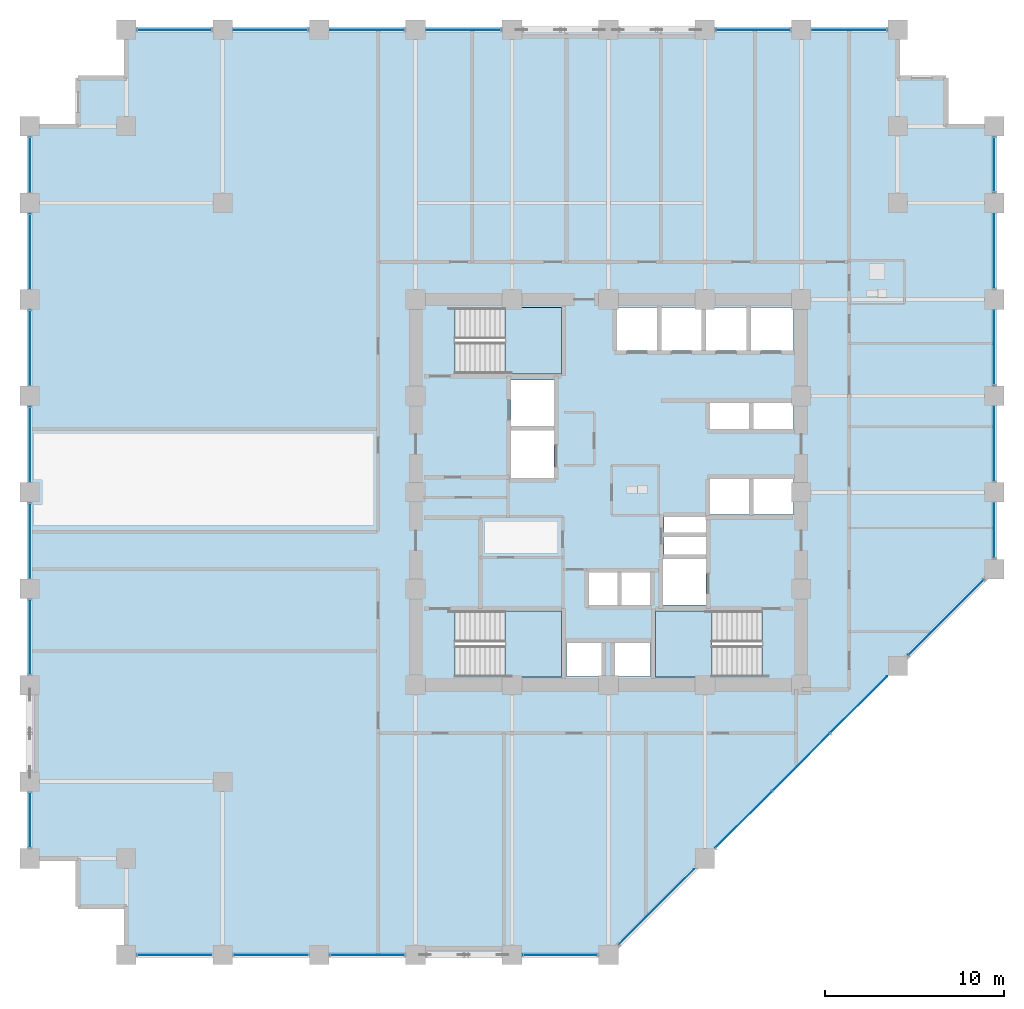
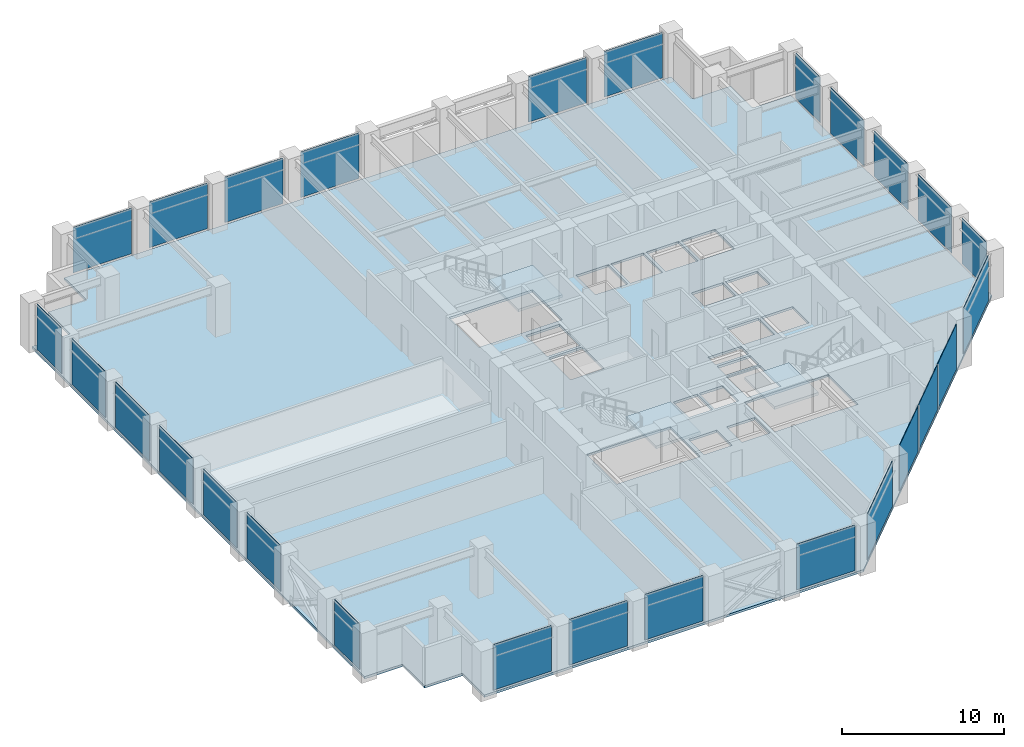
# One storey, part 17 of 25: 27 plates, 4 slabs, 11 elements without a shape of their own.
"""IFC4 building model written with IfcOpenShell, lengths in metres."""

from ifc_helpers import new_model, si_unit, direction, frame, frame_2d, origin, place, context, subcontext, project, spatial, polyline, rectangle, outline, extrude, material, layer, layer_set, type_object, element, aggregate, save


model = new_model("IFC4")

# Units and contexts
model_context = context("Model", 3, precision=1e-05, world=origin(), true_north=direction((0.0, 1.0)))
body_context = subcontext(model_context, "Body", "Model", "MODEL_VIEW")
ifc_project = project(units=[si_unit("LENGTHUNIT", "METRE"), si_unit("AREAUNIT", "SQUARE_METRE"), si_unit("VOLUMEUNIT", "CUBIC_METRE"), si_unit("PLANEANGLEUNIT", "RADIAN"), si_unit("MASSUNIT", "GRAM", prefix="KILO")], contexts=[model_context])

# Site, building, storey
site_placement = place(None, origin())
site = spatial("IfcSite", under=ifc_project, at=site_placement, CompositionType="ELEMENT")
building_placement = place(site_placement, origin())
building = spatial("IfcBuilding", under=site, at=building_placement, Name="Surkhivell Harbour Commons", CompositionType="ELEMENT")
storey_placement = place(building_placement, frame((0.0, 0.0, 120.75)))
storey = spatial("IfcBuildingStorey", under=building, at=storey_placement, Name="L31", CompositionType="ELEMENT", Elevation=120.75)

# Curtain wall, plates
ifc_material_1 = material(Name="Anodised pale-metal aluminium and insulated glazing", Category="aluminium")
ifc_layer_1 = layer(ifc_material_1, 0.205078125)
ifc_layer_set_1 = layer_set([ifc_layer_1], Name="Anodised pale-metal aluminium and insulated glazing")
curtain_wall_type = type_object("IfcCurtainWallType", Name="CW-SYS-Z2", PredefinedType="NOTDEFINED", material=ifc_layer_set_1)
curtain_wall_1_placement = place(storey_placement, origin())
curtain_wall_1 = element("IfcCurtainWall", 1, at=curtain_wall_1_placement, inside=storey, type_object=curtain_wall_type, Name="L31 Curtain Wall CW-L31-E00S1", PredefinedType="NOTDEFINED")
ifc_material_2 = material(Name="High-pressure typhoon laminated vision glass", Category="glass")
ifc_layer_2 = layer(ifc_material_2, 0.035888671875)
ifc_layer_set_2 = layer_set([ifc_layer_2], Name="High-pressure typhoon laminated vision glass")
plate_type = type_object("IfcPlateType", Name="CWP-GLZ-36", PredefinedType="CURTAIN_PANEL", material=ifc_layer_set_2)
plate_1_placement = place(storey_placement, frame((-26.373046875, -25.89990234375, 0.14990234375), z_axis=(0.0, 0.0, 1.0), x_axis=(1.0, 0.0, 0.0)))
plate_1 = element("IfcPlate", 2, at=plate_1_placement, type_object=plate_type, Name="CW-Z2 panel 1.1", PredefinedType="CURTAIN_PANEL", context=body_context, shape_type="SweptSolid", body=[
    extrude(rectangle(XDim=4.14599609375, YDim=0.035888671875, at=frame_2d((2.072998046875, 0.0))), origin(), (0.0, 0.0, 1.0), 3.420166015625),
])
plate_2_placement = place(storey_placement, frame((-20.972900390625, -25.89990234375, 0.14990234375), z_axis=(0.0, 0.0, 1.0), x_axis=(1.0, 0.0, 0.0)))
plate_2 = element("IfcPlate", 3, at=plate_2_placement, type_object=plate_type, Name="CW-Z2 panel 2.1", PredefinedType="CURTAIN_PANEL", context=body_context, shape_type="SweptSolid", body=[
    extrude(rectangle(XDim=4.14599609375, YDim=0.035888671875, at=frame_2d((2.072998046875, 0.0))), origin(), (0.0, 0.0, 1.0), 3.420166015625),
])
plate_3_placement = place(storey_placement, frame((-15.572998046875, -25.89990234375, 0.14990234375), z_axis=(0.0, 0.0, 1.0), x_axis=(1.0, 0.0, 0.0)))
plate_3 = element("IfcPlate", 4, at=plate_3_placement, type_object=plate_type, Name="CW-Z2 panel 3.1", PredefinedType="CURTAIN_PANEL", context=body_context, shape_type="SweptSolid", body=[
    extrude(rectangle(XDim=4.14599609375, YDim=0.035888671875, at=frame_2d((2.072998046875, 0.0))), origin(), (0.0, 0.0, 1.0), 3.420166015625),
])
aggregate(curtain_wall_1, [plate_1, plate_2, plate_3])

# Curtain wall, plate
curtain_wall_2_placement = place(storey_placement, origin())
curtain_wall_2 = element("IfcCurtainWall", 5, at=curtain_wall_2_placement, inside=storey, type_object=curtain_wall_type, Name="L31 Curtain Wall CW-L31-E00S2", PredefinedType="NOTDEFINED")
plate_4_placement = place(storey_placement, frame((-4.77294921875, -25.89990234375, 0.14990234375), z_axis=(0.0, 0.0, 1.0), x_axis=(1.0, 0.0, 0.0)))
plate_4 = element("IfcPlate", 6, at=plate_4_placement, type_object=plate_type, Name="CW-Z2 panel 1.1", PredefinedType="CURTAIN_PANEL", context=body_context, shape_type="SweptSolid", body=[
    extrude(rectangle(XDim=4.14599609375, YDim=0.035888671875, at=frame_2d((2.072998046875, 0.0))), origin(), (0.0, 0.0, 1.0), 3.420166015625),
])
aggregate(curtain_wall_2, [plate_4])

# Curtain wall, plates
curtain_wall_3_placement = place(storey_placement, origin())
curtain_wall_3 = element("IfcCurtainWall", 7, at=curtain_wall_3_placement, inside=storey, type_object=curtain_wall_type, Name="L31 Curtain Wall CW-L31-E01", PredefinedType="NOTDEFINED")
plate_5_placement = place(storey_placement, frame((0.604736328125, -25.295166015625, 0.14990234375), z_axis=(0.0, 0.0, 1.0), x_axis=(0.707106781187, 0.707106781187, 0.0)))
plate_5 = element("IfcPlate", 8, at=plate_5_placement, type_object=plate_type, Name="CW-Z2 panel 1.1", PredefinedType="CURTAIN_PANEL", context=body_context, shape_type="SweptSolid", body=[
    extrude(rectangle(XDim=5.92626953125, YDim=0.035888671875, at=frame_2d((2.963134765625, 0.0))), origin(), (0.0, 0.0, 1.0), 3.420166015625),
])
plate_6_placement = place(storey_placement, frame((6.004638671875, -19.895263671875, 0.14990234375), z_axis=(0.0, 0.0, 1.0), x_axis=(0.707134159244, 0.707079402069, 0.0)))
plate_6 = element("IfcPlate", 9, at=plate_6_placement, type_object=plate_type, Name="CW-Z2 panel 2.1", PredefinedType="CURTAIN_PANEL", context=body_context, shape_type="SweptSolid", body=[
    extrude(rectangle(XDim=4.45849609375, YDim=0.035888671875, at=frame_2d((2.229248046875, 0.0))), origin(), (0.0, 0.0, 1.0), 3.420166015625),
])
plate_7_placement = place(storey_placement, frame((9.21044921875, -16.689697265625, 0.14990234375), z_axis=(0.0, 0.0, 1.0), x_axis=(0.707106781187, 0.707106781187, 0.0)))
plate_7 = element("IfcPlate", 10, at=plate_7_placement, type_object=plate_type, Name="CW-Z2 panel 3.1", PredefinedType="CURTAIN_PANEL", context=body_context, shape_type="SweptSolid", body=[
    extrude(rectangle(XDim=4.49609375, YDim=0.035888671875, at=frame_2d((2.248046875, 0.0))), origin(), (0.0, 0.0, 1.0), 3.420166015625),
])
plate_8_placement = place(storey_placement, frame((12.442626953125, -13.457275390625, 0.14990234375), z_axis=(0.0, 0.0, 1.0), x_axis=(0.707106781187, 0.707106781187, 0.0)))
plate_8 = element("IfcPlate", 11, at=plate_8_placement, type_object=plate_type, Name="CW-Z2 panel 4.1", PredefinedType="CURTAIN_PANEL", context=body_context, shape_type="SweptSolid", body=[
    extrude(rectangle(XDim=4.45849609375, YDim=0.035888671875, at=frame_2d((2.229248046875, 0.0))), origin(), (0.0, 0.0, 1.0), 3.420166015625),
])
plate_9_placement = place(storey_placement, frame((16.8046875, -9.09521484375, 0.14990234375), z_axis=(0.0, 0.0, 1.0), x_axis=(0.707127378829, 0.707086182944, 0.0)))
plate_9 = element("IfcPlate", 12, at=plate_9_placement, type_object=plate_type, Name="CW-Z2 panel 5.1", PredefinedType="CURTAIN_PANEL", context=body_context, shape_type="SweptSolid", body=[
    extrude(rectangle(XDim=5.92626953125, YDim=0.035888671875, at=frame_2d((2.963134765625, 0.0))), origin(), (0.0, 0.0, 1.0), 3.420166015625),
])
aggregate(curtain_wall_3, [plate_5, plate_6, plate_7, plate_8, plate_9])

curtain_wall_4_placement = place(storey_placement, origin())
curtain_wall_4 = element("IfcCurtainWall", 13, at=curtain_wall_4_placement, inside=storey, type_object=curtain_wall_type, Name="L31 Curtain Wall CW-L31-E02", PredefinedType="NOTDEFINED")
plate_10_placement = place(storey_placement, frame((21.60009765625, -3.673095703125, 0.14990234375), z_axis=(0.0, 0.0, 1.0), x_axis=(0.0, 1.0, 0.0)))
plate_10 = element("IfcPlate", 14, at=plate_10_placement, type_object=plate_type, Name="CW-Z2 panel 1.1", PredefinedType="CURTAIN_PANEL", context=body_context, shape_type="SweptSolid", body=[
    extrude(rectangle(XDim=3.046142578125, YDim=0.035888671875, at=frame_2d((1.52294921875, 0.0))), origin(), (0.0, 0.0, 1.0), 3.420166015625),
])
plate_11_placement = place(storey_placement, frame((21.60009765625, 0.626953125, 0.14990234375), z_axis=(0.0, 0.0, 1.0), x_axis=(0.0, 1.0, 0.0)))
plate_11 = element("IfcPlate", 15, at=plate_11_placement, type_object=plate_type, Name="CW-Z2 panel 2.1", PredefinedType="CURTAIN_PANEL", context=body_context, shape_type="SweptSolid", body=[
    extrude(rectangle(XDim=4.14599609375, YDim=0.035888671875, at=frame_2d((2.072998046875, 0.0))), origin(), (0.0, 0.0, 1.0), 3.420166015625),
])
plate_12_placement = place(storey_placement, frame((21.60009765625, 6.027099609375, 0.14990234375), z_axis=(0.0, 0.0, 1.0), x_axis=(0.0, 1.0, 0.0)))
plate_12 = element("IfcPlate", 16, at=plate_12_placement, type_object=plate_type, Name="CW-Z2 panel 3.1", PredefinedType="CURTAIN_PANEL", context=body_context, shape_type="SweptSolid", body=[
    extrude(rectangle(XDim=4.14599609375, YDim=0.035888671875, at=frame_2d((2.072998046875, 0.0))), origin(), (0.0, 0.0, 1.0), 3.420166015625),
])
plate_13_placement = place(storey_placement, frame((21.60009765625, 11.427001953125, 0.14990234375), z_axis=(0.0, 0.0, 1.0), x_axis=(0.0, 1.0, 0.0)))
plate_13 = element("IfcPlate", 17, at=plate_13_placement, type_object=plate_type, Name="CW-Z2 panel 4.1", PredefinedType="CURTAIN_PANEL", context=body_context, shape_type="SweptSolid", body=[
    extrude(rectangle(XDim=4.14599609375, YDim=0.035888671875, at=frame_2d((2.072998046875, 0.0))), origin(), (0.0, 0.0, 1.0), 3.420166015625),
])
plate_14_placement = place(storey_placement, frame((21.60009765625, 16.826904296875, 0.14990234375), z_axis=(0.0, 0.0, 1.0), x_axis=(0.0, 1.0, 0.0)))
plate_14 = element("IfcPlate", 18, at=plate_14_placement, type_object=plate_type, Name="CW-Z2 panel 5.1", PredefinedType="CURTAIN_PANEL", context=body_context, shape_type="SweptSolid", body=[
    extrude(rectangle(XDim=3.046142578125, YDim=0.035888671875, at=frame_2d((1.52294921875, 0.0))), origin(), (0.0, 0.0, 1.0), 3.420166015625),
])
aggregate(curtain_wall_4, [plate_10, plate_11, plate_12, plate_13, plate_14])

curtain_wall_5_placement = place(storey_placement, origin())
curtain_wall_5 = element("IfcCurtainWall", 19, at=curtain_wall_5_placement, inside=storey, type_object=curtain_wall_type, Name="L31 Curtain Wall CW-L31-E07S1", PredefinedType="NOTDEFINED")
plate_15_placement = place(storey_placement, frame((15.572998046875, 25.89990234375, 0.14990234375), z_axis=(0.0, 0.0, 1.0), x_axis=(-1.0, 0.0, 0.0)))
plate_15 = element("IfcPlate", 20, at=plate_15_placement, type_object=plate_type, Name="CW-Z2 panel 1.1", PredefinedType="CURTAIN_PANEL", context=body_context, shape_type="SweptSolid", body=[
    extrude(rectangle(XDim=4.14599609375, YDim=0.035888671875, at=frame_2d((2.072998046875, 0.0))), origin(), (0.0, 0.0, 1.0), 3.420166015625),
])
plate_16_placement = place(storey_placement, frame((10.173095703125, 25.89990234375, 0.14990234375), z_axis=(0.0, 0.0, 1.0), x_axis=(-1.0, 0.0, 0.0)))
plate_16 = element("IfcPlate", 21, at=plate_16_placement, type_object=plate_type, Name="CW-Z2 panel 2.1", PredefinedType="CURTAIN_PANEL", context=body_context, shape_type="SweptSolid", body=[
    extrude(rectangle(XDim=4.14599609375, YDim=0.035888671875, at=frame_2d((2.072998046875, 0.0))), origin(), (0.0, 0.0, 1.0), 3.420166015625),
])
aggregate(curtain_wall_5, [plate_15, plate_16])

curtain_wall_6_placement = place(storey_placement, origin())
curtain_wall_6 = element("IfcCurtainWall", 22, at=curtain_wall_6_placement, inside=storey, type_object=curtain_wall_type, Name="L31 Curtain Wall CW-L31-E07S2", PredefinedType="NOTDEFINED")
plate_17_placement = place(storey_placement, frame((-6.027099609375, 25.89990234375, 0.14990234375), z_axis=(0.0, 0.0, 1.0), x_axis=(-1.0, 0.0, 0.0)))
plate_17 = element("IfcPlate", 23, at=plate_17_placement, type_object=plate_type, Name="CW-Z2 panel 1.1", PredefinedType="CURTAIN_PANEL", context=body_context, shape_type="SweptSolid", body=[
    extrude(rectangle(XDim=4.14599609375, YDim=0.035888671875, at=frame_2d((2.072998046875, 0.0))), origin(), (0.0, 0.0, 1.0), 3.420166015625),
])
plate_18_placement = place(storey_placement, frame((-11.427001953125, 25.89990234375, 0.14990234375), z_axis=(0.0, 0.0, 1.0), x_axis=(-1.0, 0.0, 0.0)))
plate_18 = element("IfcPlate", 24, at=plate_18_placement, type_object=plate_type, Name="CW-Z2 panel 2.1", PredefinedType="CURTAIN_PANEL", context=body_context, shape_type="SweptSolid", body=[
    extrude(rectangle(XDim=4.14599609375, YDim=0.035888671875, at=frame_2d((2.072998046875, 0.0))), origin(), (0.0, 0.0, 1.0), 3.420166015625),
])
plate_19_placement = place(storey_placement, frame((-16.826904296875, 25.89990234375, 0.14990234375), z_axis=(0.0, 0.0, 1.0), x_axis=(-1.0, 0.0, 0.0)))
plate_19 = element("IfcPlate", 25, at=plate_19_placement, type_object=plate_type, Name="CW-Z2 panel 3.1", PredefinedType="CURTAIN_PANEL", context=body_context, shape_type="SweptSolid", body=[
    extrude(rectangle(XDim=4.14599609375, YDim=0.035888671875, at=frame_2d((2.072998046875, 0.0))), origin(), (0.0, 0.0, 1.0), 3.420166015625),
])
plate_20_placement = place(storey_placement, frame((-22.22705078125, 25.89990234375, 0.14990234375), z_axis=(0.0, 0.0, 1.0), x_axis=(-1.0, 0.0, 0.0)))
plate_20 = element("IfcPlate", 26, at=plate_20_placement, type_object=plate_type, Name="CW-Z2 panel 4.1", PredefinedType="CURTAIN_PANEL", context=body_context, shape_type="SweptSolid", body=[
    extrude(rectangle(XDim=4.14599609375, YDim=0.035888671875, at=frame_2d((2.072998046875, 0.0))), origin(), (0.0, 0.0, 1.0), 3.420166015625),
])
aggregate(curtain_wall_6, [plate_17, plate_18, plate_19, plate_20])

curtain_wall_7_placement = place(storey_placement, origin())
curtain_wall_7 = element("IfcCurtainWall", 27, at=curtain_wall_7_placement, inside=storey, type_object=curtain_wall_type, Name="L31 Curtain Wall CW-L31-E12S1", PredefinedType="NOTDEFINED")
plate_21_placement = place(storey_placement, frame((-32.39990234375, 19.873046875, 0.14990234375), z_axis=(0.0, 0.0, 1.0), x_axis=(0.0, -1.0, 0.0)))
plate_21 = element("IfcPlate", 28, at=plate_21_placement, type_object=plate_type, Name="CW-Z2 panel 1.1", PredefinedType="CURTAIN_PANEL", context=body_context, shape_type="SweptSolid", body=[
    extrude(rectangle(XDim=3.046142578125, YDim=0.035888671875, at=frame_2d((1.52294921875, 0.0))), origin(), (0.0, 0.0, 1.0), 3.420166015625),
])
plate_22_placement = place(storey_placement, frame((-32.39990234375, 15.572998046875, 0.14990234375), z_axis=(0.0, 0.0, 1.0), x_axis=(0.0, -1.0, 0.0)))
plate_22 = element("IfcPlate", 29, at=plate_22_placement, type_object=plate_type, Name="CW-Z2 panel 2.1", PredefinedType="CURTAIN_PANEL", context=body_context, shape_type="SweptSolid", body=[
    extrude(rectangle(XDim=4.14599609375, YDim=0.035888671875, at=frame_2d((2.072998046875, 0.0))), origin(), (0.0, 0.0, 1.0), 3.420166015625),
])
plate_23_placement = place(storey_placement, frame((-32.39990234375, 10.173095703125, 0.14990234375), z_axis=(0.0, 0.0, 1.0), x_axis=(0.0, -1.0, 0.0)))
plate_23 = element("IfcPlate", 30, at=plate_23_placement, type_object=plate_type, Name="CW-Z2 panel 3.1", PredefinedType="CURTAIN_PANEL", context=body_context, shape_type="SweptSolid", body=[
    extrude(rectangle(XDim=4.14599609375, YDim=0.035888671875, at=frame_2d((2.072998046875, 0.0))), origin(), (0.0, 0.0, 1.0), 3.420166015625),
])
plate_24_placement = place(storey_placement, frame((-32.39990234375, 4.77294921875, 0.14990234375), z_axis=(0.0, 0.0, 1.0), x_axis=(0.0, -1.0, 0.0)))
plate_24 = element("IfcPlate", 31, at=plate_24_placement, type_object=plate_type, Name="CW-Z2 panel 4.1", PredefinedType="CURTAIN_PANEL", context=body_context, shape_type="SweptSolid", body=[
    extrude(rectangle(XDim=4.14599609375, YDim=0.035888671875, at=frame_2d((2.072998046875, 0.0))), origin(), (0.0, 0.0, 1.0), 3.420166015625),
])
plate_25_placement = place(storey_placement, frame((-32.39990234375, -0.626953125, 0.14990234375), z_axis=(0.0, 0.0, 1.0), x_axis=(0.0, -1.0, 0.0)))
plate_25 = element("IfcPlate", 32, at=plate_25_placement, type_object=plate_type, Name="CW-Z2 panel 5.1", PredefinedType="CURTAIN_PANEL", context=body_context, shape_type="SweptSolid", body=[
    extrude(rectangle(XDim=4.14599609375, YDim=0.035888671875, at=frame_2d((2.072998046875, 0.0))), origin(), (0.0, 0.0, 1.0), 3.420166015625),
])
plate_26_placement = place(storey_placement, frame((-32.39990234375, -6.027099609375, 0.14990234375), z_axis=(0.0, 0.0, 1.0), x_axis=(0.0, -1.0, 0.0)))
plate_26 = element("IfcPlate", 33, at=plate_26_placement, type_object=plate_type, Name="CW-Z2 panel 6.1", PredefinedType="CURTAIN_PANEL", context=body_context, shape_type="SweptSolid", body=[
    extrude(rectangle(XDim=4.14599609375, YDim=0.035888671875, at=frame_2d((2.072998046875, 0.0))), origin(), (0.0, 0.0, 1.0), 3.420166015625),
])
aggregate(curtain_wall_7, [plate_21, plate_22, plate_23, plate_24, plate_25, plate_26])

# Curtain wall, plate
curtain_wall_8_placement = place(storey_placement, origin())
curtain_wall_8 = element("IfcCurtainWall", 34, at=curtain_wall_8_placement, inside=storey, type_object=curtain_wall_type, Name="L31 Curtain Wall CW-L31-E12S2", PredefinedType="NOTDEFINED")
plate_27_placement = place(storey_placement, frame((-32.39990234375, -16.826904296875, 0.14990234375), z_axis=(0.0, 0.0, 1.0), x_axis=(0.0, -1.0, 0.0)))
plate_27 = element("IfcPlate", 35, at=plate_27_placement, type_object=plate_type, Name="CW-Z2 panel 1.1", PredefinedType="CURTAIN_PANEL", context=body_context, shape_type="SweptSolid", body=[
    extrude(rectangle(XDim=3.046142578125, YDim=0.035888671875, at=frame_2d((1.52294921875, 0.0))), origin(), (0.0, 0.0, 1.0), 3.420166015625),
])
aggregate(curtain_wall_8, [plate_27])

# Stair, slab
ifc_material_3 = material(Name="Precast concrete C45/55", Category="concrete")
stair_type = type_object("IfcStairType", Name="STR-DL-375", PredefinedType="HALF_TURN_STAIR", material=ifc_material_3)
stair_1_placement = place(storey_placement, origin())
stair_1 = element("IfcStair", 36, at=stair_1_placement, inside=storey, type_object=stair_type, Name="L31 Core Exit Stair ST1", PredefinedType="HALF_TURN_STAIR")
ifc_material_4 = material(Name="Reinforced concrete C45/55", Category="concrete")
ifc_layer_3 = layer(ifc_material_4, 0.199951171875)
ifc_layer_set_3 = layer_set([ifc_layer_3], Name="Reinforced concrete C45/55")
slab_type_1 = type_object("IfcSlabType", Name="SLB-ST-LND200", PredefinedType="LANDING", material=ifc_layer_set_3)
slab_1_placement = place(storey_placement, frame((0.0, 0.0, 1.675048828125)))
slab_1 = element("IfcSlab", 37, at=slab_1_placement, type_object=slab_type_1, Name="ST1 landing 1", PredefinedType="LANDING", context=body_context, shape_type="SweptSolid", body=[
    extrude(outline(polyline([(-5.7900390625, 6.639892578125), (-2.639892578125, 6.639892578125), (-2.639892578125, 10.340087890625), (-5.7900390625, 10.340087890625), (-5.7900390625, 6.639892578125)])), origin(), (0.0, 0.0, 1.0), 0.199951171875),
])
aggregate(stair_1, [slab_1])

stair_2_placement = place(storey_placement, origin())
stair_2 = element("IfcStair", 38, at=stair_2_placement, inside=storey, type_object=stair_type, Name="L31 Core Exit Stair ST2", PredefinedType="HALF_TURN_STAIR")
slab_2_placement = place(storey_placement, frame((0.0, 0.0, 1.675048828125)))
slab_2 = element("IfcSlab", 39, at=slab_2_placement, type_object=slab_type_1, Name="ST2 landing 1", PredefinedType="LANDING", context=body_context, shape_type="SweptSolid", body=[
    extrude(outline(polyline([(5.7900390625, -6.639892578125), (2.639892578125, -6.639892578125), (2.639892578125, -10.340087890625), (5.7900390625, -10.340087890625), (5.7900390625, -6.639892578125)])), origin(), (0.0, 0.0, 1.0), 0.199951171875),
])
aggregate(stair_2, [slab_2])

stair_3_placement = place(storey_placement, origin())
stair_3 = element("IfcStair", 40, at=stair_3_placement, inside=storey, type_object=stair_type, Name="L31 Core Exit Stair ST3", PredefinedType="HALF_TURN_STAIR")
slab_3_placement = place(storey_placement, frame((0.0, 0.0, 1.675048828125)))
slab_3 = element("IfcSlab", 41, at=slab_3_placement, type_object=slab_type_1, Name="ST3 landing 1", PredefinedType="LANDING", context=body_context, shape_type="SweptSolid", body=[
    extrude(outline(polyline([(-5.7900390625, -10.340087890625), (-2.639892578125, -10.340087890625), (-2.639892578125, -6.639892578125), (-5.7900390625, -6.639892578125), (-5.7900390625, -10.340087890625)])), origin(), (0.0, 0.0, 1.0), 0.199951171875),
])
aggregate(stair_3, [slab_3])

# Slab
ifc_material_5 = material(Name="Concrete C45/55", Category="concrete")
ifc_layer_4 = layer(ifc_material_5, 0.179931640625)
ifc_layer_set_4 = layer_set([ifc_layer_4], Name="Concrete C45/55")
slab_type_2 = type_object("IfcSlabType", Name="SLB-TYP-180", PredefinedType="FLOOR", material=ifc_layer_set_4)
slab_4_placement = place(storey_placement, frame((0.0, 0.0, -0.179931640625)))
element("IfcSlab", 42, at=slab_4_placement, inside=storey, type_object=slab_type_2, Name="L31 Structural Floor Slab", PredefinedType="FLOOR", context=body_context, shape_type="SweptSolid", body=[
    extrude(outline(polyline([(-27.0, -25.89990234375), (0.0, -25.89990234375), (21.60009765625, -4.300048828125), (21.60009765625, 20.5), (18.89990234375, 20.5), (18.89990234375, 23.199951171875), (16.199951171875, 23.199951171875), (16.199951171875, 25.89990234375), (-27.0, 25.89990234375), (-27.0, 23.199951171875), (-29.699951171875, 23.199951171875), (-29.699951171875, 20.5), (-32.39990234375, 20.5), (-32.39990234375, -20.5), (-29.699951171875, -20.5), (-29.699951171875, -23.199951171875), (-27.0, -23.199951171875), (-27.0, -25.89990234375)]), holes=[polyline([(-8.590087890625, 6.639892578125), (-2.639892578125, 6.639892578125), (-2.639892578125, 10.340087890625), (-8.590087890625, 10.340087890625), (-8.590087890625, 6.639892578125)]), polyline([(8.590087890625, -6.639892578125), (2.639892578125, -6.639892578125), (2.639892578125, -10.340087890625), (8.590087890625, -10.340087890625), (8.590087890625, -6.639892578125)]), polyline([(-8.590087890625, -10.340087890625), (-2.639892578125, -10.340087890625), (-2.639892578125, -6.639892578125), (-8.590087890625, -6.639892578125), (-8.590087890625, -10.340087890625)]), polyline([(0.449951171875, 7.949951171875), (2.75, 7.949951171875), (2.75, 10.35009765625), (0.449951171875, 10.35009765625), (0.449951171875, 7.949951171875)]), polyline([(2.949951171875, 7.949951171875), (5.25, 7.949951171875), (5.25, 10.35009765625), (2.949951171875, 10.35009765625), (2.949951171875, 7.949951171875)]), polyline([(5.449951171875, 7.949951171875), (7.75, 7.949951171875), (7.75, 10.35009765625), (5.449951171875, 10.35009765625), (5.449951171875, 7.949951171875)]), polyline([(7.949951171875, 7.949951171875), (10.35009765625, 7.949951171875), (10.35009765625, 10.35009765625), (7.949951171875, 10.35009765625), (7.949951171875, 7.949951171875)]), polyline([(5.64990234375, 3.550048828125), (7.89990234375, 3.550048828125), (7.89990234375, 5.14990234375), (5.64990234375, 5.14990234375), (5.64990234375, 3.550048828125)]), polyline([(8.10009765625, 3.550048828125), (10.35009765625, 3.550048828125), (10.35009765625, 5.14990234375), (8.10009765625, 5.14990234375), (8.10009765625, 3.550048828125)]), polyline([(5.64990234375, -1.25), (7.89990234375, -1.25), (7.89990234375, 0.75), (5.64990234375, 0.75), (5.64990234375, -1.25)]), polyline([(8.10009765625, -1.25), (10.35009765625, -1.25), (10.35009765625, 0.75), (8.10009765625, 0.75), (8.10009765625, -1.25)]), polyline([(-1.14990234375, -6.35009765625), (0.550048828125, -6.35009765625), (0.550048828125, -4.449951171875), (-1.14990234375, -4.449951171875), (-1.14990234375, -6.35009765625)]), polyline([(0.679931640625, -6.35009765625), (2.3798828125, -6.35009765625), (2.3798828125, -4.449951171875), (0.679931640625, -4.449951171875), (0.679931640625, -6.35009765625)]), polyline([(-2.35009765625, -10.300048828125), (-0.35009765625, -10.300048828125), (-0.35009765625, -8.39990234375), (-2.35009765625, -8.39990234375), (-2.35009765625, -10.300048828125)]), polyline([(0.35009765625, -10.300048828125), (2.35009765625, -10.300048828125), (2.35009765625, -8.39990234375), (0.35009765625, -8.39990234375), (0.35009765625, -10.300048828125)]), polyline([(-5.449951171875, 3.699951171875), (-3.050048828125, 3.699951171875), (-3.050048828125, 6.300048828125), (-5.449951171875, 6.300048828125), (-5.449951171875, 3.699951171875)]), polyline([(3.050048828125, -6.300048828125), (5.449951171875, -6.300048828125), (5.449951171875, -3.699951171875), (3.050048828125, -3.699951171875), (3.050048828125, -6.300048828125)]), polyline([(-5.449951171875, 0.800048828125), (-3.050048828125, 0.800048828125), (-3.050048828125, 3.5), (-5.449951171875, 3.5), (-5.449951171875, 0.800048828125)]), polyline([(3.10009765625, -3.550048828125), (5.449951171875, -3.550048828125), (5.449951171875, -2.47998046875), (3.10009765625, -2.47998046875), (3.10009765625, -3.550048828125)]), polyline([(3.10009765625, -2.280029296875), (5.449951171875, -2.280029296875), (5.449951171875, -1.35009765625), (3.10009765625, -1.35009765625), (3.10009765625, -2.280029296875)])]), origin(), (0.0, 0.0, 1.0), 0.179931640625),
])

save(model, "model.ifc")
